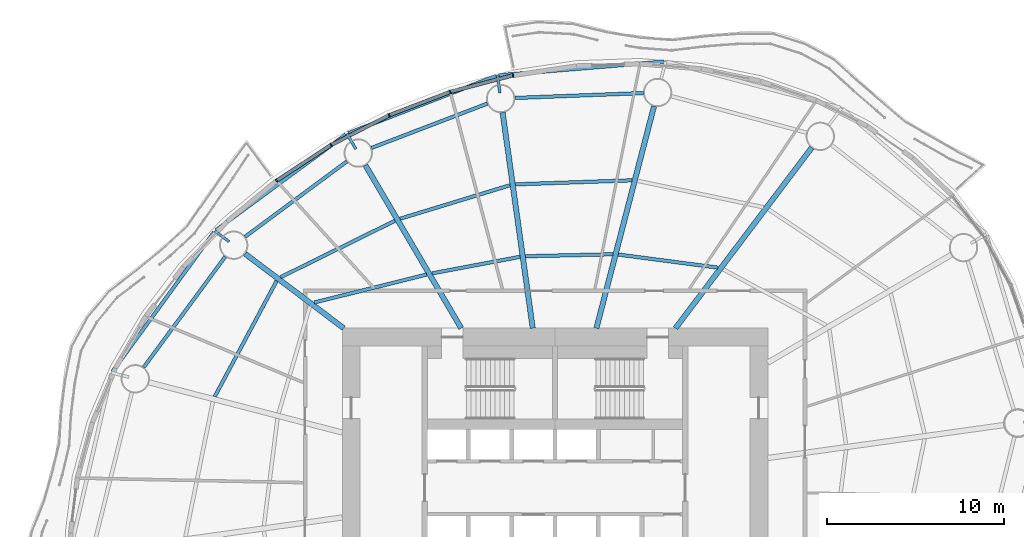
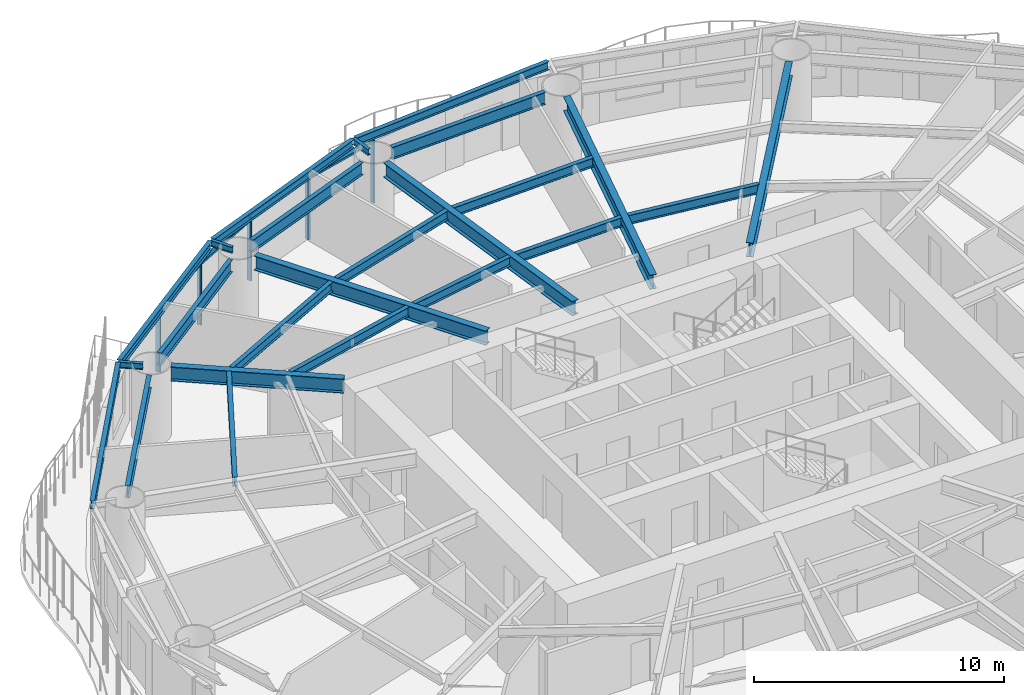
# One storey, part 4 of 15: 24 beams, 9 members, 4 elements without a shape of their own.
"""IFC4 building model written with IfcOpenShell, lengths in metres."""

from ifc_helpers import new_model, si_unit, direction, frame, origin, origin_2d, place, context, subcontext, project, spatial, rectangle, i_section, extrude, material, material_profile, profile_set, type_object, element, aggregate, save


model = new_model("IFC4")

# Units and contexts
model_context = context("Model", 3, precision=1e-05, world=origin(), true_north=direction((0.0, 1.0)))
body_context = subcontext(model_context, "Body", "Model", "MODEL_VIEW")
ifc_project = project(units=[si_unit("LENGTHUNIT", "METRE"), si_unit("AREAUNIT", "SQUARE_METRE"), si_unit("VOLUMEUNIT", "CUBIC_METRE"), si_unit("PLANEANGLEUNIT", "RADIAN"), si_unit("MASSUNIT", "GRAM", prefix="KILO")], contexts=[model_context])

# Site, building, storey
site_placement = place(None, origin())
site = spatial("IfcSite", under=ifc_project, at=site_placement, CompositionType="ELEMENT")
building_placement = place(site_placement, origin())
building = spatial("IfcBuilding", under=site, at=building_placement, Name="Vermilion Reach Broadcast Tower", CompositionType="ELEMENT")
storey_placement = place(building_placement, frame((0.0, 0.0, 128.199951171875)))
storey = spatial("IfcBuildingStorey", under=building, at=storey_placement, Name="L30", CompositionType="ELEMENT", Elevation=128.199951171875)

# Beams
ifc_material_1 = material(Name="Steel S355J2", Category="steel")
ifc_material_profile_1 = material_profile(ifc_material_1, i_section(OverallWidth=0.199951171875, OverallDepth=0.39990234375, WebThickness=0.008056640625, FlangeThickness=0.012939453125, at=origin_2d()), Name="S355J2 HN 400x200x8x13")
ifc_profile_set_1 = profile_set([ifc_material_profile_1], Name="Steel S355J2")
beam_type_1 = type_object("IfcBeamType", Name="EB2 HN 400x200x8x13", PredefinedType="BEAM", material=ifc_profile_set_1)
beam_1_placement = place(storey_placement, frame((0.161376953125, 24.036865234375, 3.25), z_axis=(-0.996606428797, -0.082314191242, 0.0), x_axis=(0.082314191242, -0.996606428797, 0.0)))
element("IfcBeam", 1, at=beam_1_placement, inside=storey, type_object=beam_type_1, Name="Edge beam EB2-03", PredefinedType="BEAM", context=body_context, shape_type="SweptSolid", body=[
    extrude(i_section(OverallWidth=0.199951171875, OverallDepth=0.39990234375, WebThickness=0.008056640625, FlangeThickness=0.012939453125, at=origin_2d()), origin(), (0.0, 0.0, 1.0), 9.366455078125),
])
beam_2_placement = place(storey_placement, frame((-9.320068359375, 23.23193359375, 3.25), z_axis=(-0.932314966936, -0.361647345389, 0.0), x_axis=(0.361647345389, -0.932314966936, 0.0)))
element("IfcBeam", 2, at=beam_2_placement, inside=storey, type_object=beam_type_1, Name="Edge beam EB2-04", PredefinedType="BEAM", context=body_context, shape_type="SweptSolid", body=[
    extrude(i_section(OverallWidth=0.199951171875, OverallDepth=0.39990234375, WebThickness=0.008056640625, FlangeThickness=0.012939453125, at=origin_2d()), origin(), (0.0, 0.0, 1.0), 8.952880859375),
])
beam_3_placement = place(storey_placement, frame((-17.798583984375, 19.921875, 3.25), z_axis=(-0.80536002253, -0.592785993518, 0.0), x_axis=(0.592785993518, -0.80536002253, 0.0)))
element("IfcBeam", 3, at=beam_3_placement, inside=storey, type_object=beam_type_1, Name="Edge beam EB2-05", PredefinedType="BEAM", context=body_context, shape_type="SweptSolid", body=[
    extrude(i_section(OverallWidth=0.199951171875, OverallDepth=0.39990234375, WebThickness=0.008056640625, FlangeThickness=0.012939453125, at=origin_2d()), origin(), (0.0, 0.0, 1.0), 9.094970703125),
])
beam_4_placement = place(storey_placement, frame((-25.23046875, 14.423583984375, 3.25), z_axis=(-0.589004991883, -0.808129395293, 0.0), x_axis=(0.808129395293, -0.589004991883, 0.0)))
element("IfcBeam", 4, at=beam_4_placement, inside=storey, type_object=beam_type_1, Name="Edge beam EB2-06", PredefinedType="BEAM", context=body_context, shape_type="SweptSolid", body=[
    extrude(i_section(OverallWidth=0.199951171875, OverallDepth=0.39990234375, WebThickness=0.008056640625, FlangeThickness=0.012939453125, at=origin_2d()), origin(), (0.0, 0.0, 1.0), 9.734375),
])
ifc_material_2 = material(Name="Steel S355J2", Category="steel")
ifc_material_profile_2 = material_profile(ifc_material_2, i_section(OverallWidth=0.300048828125, OverallDepth=0.699951171875, WebThickness=0.012939453125, FlangeThickness=0.02392578125, at=origin_2d()), Name="S355J2 HN 700x300x13x24")
ifc_profile_set_2 = profile_set([ifc_material_profile_2], Name="Steel S355J2")
beam_type_2 = type_object("IfcBeamType", Name="G2 HN 700x300x13x24", PredefinedType="BEAM", material=ifc_profile_set_2)
beam_5_placement = place(storey_placement, frame((0.794189453125, 9.0, 3.10009765625), z_axis=(0.602519842365, 0.798103902733, 0.0), x_axis=(-0.798103902733, 0.602519842365, 0.0)))
element("IfcBeam", 5, at=beam_5_placement, inside=storey, type_object=beam_type_2, Name="Girder G2-02", PredefinedType="BEAM", context=body_context, shape_type="SweptSolid", body=[
    extrude(i_section(OverallWidth=0.300048828125, OverallDepth=0.699951171875, WebThickness=0.012939453125, FlangeThickness=0.02392578125, at=origin_2d()), origin(), (0.0, 0.0, 1.0), 12.758544921875),
])
beam_6_placement = place(storey_placement, frame((-3.6640625, 9.0, 3.10009765625), z_axis=(0.25121695316, 0.967930804575, 0.0), x_axis=(-0.967930804575, 0.25121695316, 0.0)))
element("IfcBeam", 6, at=beam_6_placement, inside=storey, type_object=beam_type_2, Name="Girder G2-03", PredefinedType="BEAM", context=body_context, shape_type="SweptSolid", body=[
    extrude(i_section(OverallWidth=0.300048828125, OverallDepth=0.699951171875, WebThickness=0.012939453125, FlangeThickness=0.02392578125, at=origin_2d()), origin(), (0.0, 0.0, 1.0), 12.93505859375),
])
beam_7_placement = place(storey_placement, frame((-7.2568359375, 9.0, 3.10009765625), z_axis=(-0.138317561234, 0.990387930184, 0.0), x_axis=(-0.990387930184, -0.138317561234, 0.0)))
element("IfcBeam", 7, at=beam_7_placement, inside=storey, type_object=beam_type_2, Name="Girder G2-04", PredefinedType="BEAM", context=body_context, shape_type="SweptSolid", body=[
    extrude(i_section(OverallWidth=0.300048828125, OverallDepth=0.699951171875, WebThickness=0.012939453125, FlangeThickness=0.02392578125, at=origin_2d()), origin(), (0.0, 0.0, 1.0), 12.281494140625),
])
beam_8_placement = place(storey_placement, frame((-11.290771484375, 9.0, 3.10009765625), z_axis=(-0.506783943634, 0.862073102744, 0.0), x_axis=(-0.862073102744, -0.506783943634, 0.0)))
element("IfcBeam", 8, at=beam_8_placement, inside=storey, type_object=beam_type_2, Name="Girder G2-05", PredefinedType="BEAM", context=body_context, shape_type="SweptSolid", body=[
    extrude(i_section(OverallWidth=0.300048828125, OverallDepth=0.699951171875, WebThickness=0.012939453125, FlangeThickness=0.02392578125, at=origin_2d()), origin(), (0.0, 0.0, 1.0), 10.661865234375),
])
beam_9_placement = place(storey_placement, frame((-17.921630859375, 9.0, 3.10009765625), z_axis=(-0.798113534072, 0.602507084382, 0.0), x_axis=(-0.602507084382, -0.798113534072, 0.0)))
element("IfcBeam", 9, at=beam_9_placement, inside=storey, type_object=beam_type_2, Name="Girder G2-06", PredefinedType="BEAM", context=body_context, shape_type="SweptSolid", body=[
    extrude(i_section(OverallWidth=0.300048828125, OverallDepth=0.699951171875, WebThickness=0.012939453125, FlangeThickness=0.02392578125, at=origin_2d()), origin(), (0.0, 0.0, 1.0), 6.971923828125),
])
ifc_material_3 = material(Name="Steel S355J2", Category="steel")
ifc_material_profile_3 = material_profile(ifc_material_3, i_section(OverallWidth=0.14990234375, OverallDepth=0.300048828125, WebThickness=0.006591796875, FlangeThickness=0.009033203125, at=origin_2d()), Name="S355J2 HN 300x150x6.5x9")
ifc_profile_set_3 = profile_set([ifc_material_profile_3], Name="Steel S355J2")
beam_type_3 = type_object("IfcBeamType", Name="GS2 HN 300x150x6.5x9", PredefinedType="BEAM", material=ifc_profile_set_3)
for number, where, z_axis, x_axis, name in (
    (10, (-9.10986328125, 22.269287109375, 3.300048828125), (-0.138413206764, 0.990374567622, 0.0), (-0.990374567622, -0.138413206764, 0.0), "Cantilever stub GS2-04"),
    (11, (-17.23095703125, 19.1044921875, 3.300048828125), (-0.506828068037, 0.862047161964, 0.0), (-0.862047161964, -0.506828068037, 0.0), "Cantilever stub GS2-05"),
    (12, (-24.38818359375, 13.881591796875, 3.300048828125), (-0.798091683473, 0.602536027779, 0.0), (-0.602536027779, -0.798091683473, 0.0), "Cantilever stub GS2-06"),
):
    element("IfcBeam", number, at=place(storey_placement, frame(where, z_axis=z_axis, x_axis=x_axis)), inside=storey, type_object=beam_type_3, Name=name, PredefinedType="BEAM", context=body_context, shape_type="SweptSolid", body=[
        extrude(i_section(OverallWidth=0.14990234375, OverallDepth=0.300048828125, WebThickness=0.006591796875, FlangeThickness=0.009033203125, at=origin_2d()), origin(), (0.0, 0.0, 1.0), 1.0),
    ])
ifc_material_4 = material(Name="Steel S355J2", Category="steel")
ifc_material_profile_4 = material_profile(ifc_material_4, i_section(OverallWidth=0.199951171875, OverallDepth=0.60009765625, WebThickness=0.010986328125, FlangeThickness=0.01708984375, at=origin_2d()), Name="S355J2 HN 600x200x11x17")
ifc_profile_set_4 = profile_set([ifc_material_profile_4], Name="Steel S355J2")
beam_type_4 = type_object("IfcBeamType", Name="RB2 HN 600x200x11x17", PredefinedType="BEAM", material=ifc_profile_set_4)
beam_10_placement = place(storey_placement, frame((-1.012939453125, 22.263916015625, 3.150146484375), z_axis=(-0.999268558327, -0.038240663418, 0.0), x_axis=(0.038240663418, -0.999268558327, 0.0)))
element("IfcBeam", 13, at=beam_10_placement, inside=storey, type_object=beam_type_4, Name="Ring beam RB2-03", PredefinedType="BEAM", context=body_context, shape_type="SweptSolid", body=[
    extrude(i_section(OverallWidth=0.199951171875, OverallDepth=0.60009765625, WebThickness=0.010986328125, FlangeThickness=0.01708984375, at=origin_2d()), origin(), (0.0, 0.0, 1.0), 7.259033203125),
])
beam_11_placement = place(storey_placement, frame((-9.813232421875, 21.669677734375, 3.150146484375), z_axis=(-0.933939237212, -0.357431813353, 0.0), x_axis=(0.357431813353, -0.933939237212, 0.0)))
element("IfcBeam", 14, at=beam_11_placement, inside=storey, type_object=beam_type_4, Name="Ring beam RB2-04", PredefinedType="BEAM", context=body_context, shape_type="SweptSolid", body=[
    extrude(i_section(OverallWidth=0.199951171875, OverallDepth=0.60009765625, WebThickness=0.010986328125, FlangeThickness=0.01708984375, at=origin_2d()), origin(), (0.0, 0.0, 1.0), 7.001953125),
])
beam_12_placement = place(storey_placement, frame((-17.74267578125, 18.4052734375, 3.150146484375), z_axis=(-0.803832742218, -0.594855379515, 0.0), x_axis=(0.594855379515, -0.803832742218, 0.0)))
element("IfcBeam", 15, at=beam_12_placement, inside=storey, type_object=beam_type_4, Name="Ring beam RB2-05", PredefinedType="BEAM", context=body_context, shape_type="SweptSolid", body=[
    extrude(i_section(OverallWidth=0.199951171875, OverallDepth=0.60009765625, WebThickness=0.010986328125, FlangeThickness=0.01708984375, at=origin_2d()), origin(), (0.0, 0.0, 1.0), 7.13916015625),
])
beam_13_placement = place(storey_placement, frame((-24.59912109375, 13.03857421875, 3.150146484375), z_axis=(-0.593250534798, -0.80501788984, 0.0), x_axis=(0.80501788984, -0.593250534798, 0.0)))
element("IfcBeam", 16, at=beam_13_placement, inside=storey, type_object=beam_type_4, Name="Ring beam RB2-06", PredefinedType="BEAM", context=body_context, shape_type="SweptSolid", body=[
    extrude(i_section(OverallWidth=0.199951171875, OverallDepth=0.60009765625, WebThickness=0.010986328125, FlangeThickness=0.01708984375, at=origin_2d()), origin(), (0.0, 0.0, 1.0), 7.76220703125),
])
ifc_material_5 = material(Name="Steel S355J2", Category="steel")
ifc_material_profile_5 = material_profile(ifc_material_5, i_section(OverallWidth=0.199951171875, OverallDepth=0.449951171875, WebThickness=0.009033203125, FlangeThickness=0.013916015625, at=origin_2d()), Name="S355J2 HN 450x200x9x14")
ifc_profile_set_5 = profile_set([ifc_material_profile_5], Name="Steel S355J2")
beam_type_5 = type_object("IfcBeamType", Name="SB2 HN 450x200x9x14", PredefinedType="BEAM", material=ifc_profile_set_5)
beam_14_placement = place(storey_placement, frame((3.185546875, 12.416748046875, 3.22509765625), z_axis=(-0.991498686864, 0.130116693573, 0.0), x_axis=(-0.130116693573, -0.991498686864, 0.0)))
element("IfcBeam", 17, at=beam_14_placement, inside=storey, type_object=beam_type_5, Name="Secondary beam SB2-02-1", PredefinedType="BEAM", context=body_context, shape_type="SweptSolid", body=[
    extrude(i_section(OverallWidth=0.199951171875, OverallDepth=0.449951171875, WebThickness=0.009033203125, FlangeThickness=0.013916015625, at=origin_2d()), origin(), (0.0, 0.0, 1.0), 5.66455078125),
])
beam_15_placement = place(storey_placement, frame((-2.73681640625, 13.169921875, 3.22509765625), z_axis=(-0.999742320425, -0.022700060602, 0.0), x_axis=(0.022700060602, -0.999742320425, 0.0)))
element("IfcBeam", 18, at=beam_15_placement, inside=storey, type_object=beam_type_5, Name="Secondary beam SB2-03-1", PredefinedType="BEAM", context=body_context, shape_type="SweptSolid", body=[
    extrude(i_section(OverallWidth=0.199951171875, OverallDepth=0.449951171875, WebThickness=0.009033203125, FlangeThickness=0.013916015625, at=origin_2d()), origin(), (0.0, 0.0, 1.0), 4.9365234375),
])
beam_16_placement = place(storey_placement, frame((-1.654052734375, 17.34130859375, 3.22509765625), z_axis=(-0.999404722387, -0.03449928797, 0.0), x_axis=(0.03449928797, -0.999404722387, 0.0)))
element("IfcBeam", 19, at=beam_16_placement, inside=storey, type_object=beam_type_5, Name="Secondary beam SB2-03-2", PredefinedType="BEAM", context=body_context, shape_type="SweptSolid", body=[
    extrude(i_section(OverallWidth=0.199951171875, OverallDepth=0.449951171875, WebThickness=0.009033203125, FlangeThickness=0.013916015625, at=origin_2d()), origin(), (0.0, 0.0, 1.0), 6.58837890625),
])
beam_17_placement = place(storey_placement, frame((-7.970703125, 13.026611328125, 3.22509765625), z_axis=(-0.982782890015, -0.184764149915, 0.0), x_axis=(0.184764149915, -0.982782890015, 0.0)))
element("IfcBeam", 20, at=beam_17_placement, inside=storey, type_object=beam_type_5, Name="Secondary beam SB2-04-1", PredefinedType="BEAM", context=body_context, shape_type="SweptSolid", body=[
    extrude(i_section(OverallWidth=0.199951171875, OverallDepth=0.449951171875, WebThickness=0.009033203125, FlangeThickness=0.013916015625, at=origin_2d()), origin(), (0.0, 0.0, 1.0), 5.051513671875),
])
beam_18_placement = place(storey_placement, frame((-8.53466796875, 17.064697265625, 3.22509765625), z_axis=(-0.956596430605, -0.291415972374, 0.0), x_axis=(0.291415972374, -0.956596430605, 0.0)))
element("IfcBeam", 21, at=beam_18_placement, inside=storey, type_object=beam_type_5, Name="Secondary beam SB2-04-2", PredefinedType="BEAM", context=body_context, shape_type="SweptSolid", body=[
    extrude(i_section(OverallWidth=0.199951171875, OverallDepth=0.449951171875, WebThickness=0.009033203125, FlangeThickness=0.013916015625, at=origin_2d()), origin(), (0.0, 0.0, 1.0), 6.49267578125),
])
beam_19_placement = place(storey_placement, frame((-13.24365234375, 12.026123046875, 3.22509765625), z_axis=(-0.970396717612, -0.241516480695, 0.0), x_axis=(0.241516480695, -0.970396717612, 0.0)))
element("IfcBeam", 22, at=beam_19_placement, inside=storey, type_object=beam_type_5, Name="Secondary beam SB2-05-1", PredefinedType="BEAM", context=body_context, shape_type="SweptSolid", body=[
    extrude(i_section(OverallWidth=0.199951171875, OverallDepth=0.449951171875, WebThickness=0.009033203125, FlangeThickness=0.013916015625, at=origin_2d()), origin(), (0.0, 0.0, 1.0), 6.539306640625),
])
beam_20_placement = place(storey_placement, frame((-15.02783203125, 15.06103515625, 3.22509765625), z_axis=(-0.896648255868, -0.442743611189, 0.0), x_axis=(0.442743611189, -0.896648255868, 0.0)))
element("IfcBeam", 23, at=beam_20_placement, inside=storey, type_object=beam_type_5, Name="Secondary beam SB2-05-2", PredefinedType="BEAM", context=body_context, shape_type="SweptSolid", body=[
    extrude(i_section(OverallWidth=0.199951171875, OverallDepth=0.449951171875, WebThickness=0.009033203125, FlangeThickness=0.013916015625, at=origin_2d()), origin(), (0.0, 0.0, 1.0), 7.19677734375),
])
beam_21_placement = place(storey_placement, frame((-21.702880859375, 11.66650390625, 3.22509765625), z_axis=(-0.471821551693, -0.881694064491, 0.0), x_axis=(0.881694064491, -0.471821551693, 0.0)))
element("IfcBeam", 24, at=beam_21_placement, inside=storey, type_object=beam_type_5, Name="Secondary beam SB2-06-2", PredefinedType="BEAM", context=body_context, shape_type="SweptSolid", body=[
    extrude(i_section(OverallWidth=0.199951171875, OverallDepth=0.449951171875, WebThickness=0.009033203125, FlangeThickness=0.013916015625, at=origin_2d()), origin(), (0.0, 0.0, 1.0), 7.405029296875),
])

# Curtain wall, member
ifc_material_6 = material(Name="Low-e laminated clear glass in aluminium frame", Category="aluminium")
curtain_wall_type = type_object("IfcCurtainWallType", Name="Slot curtain wall", PredefinedType="NOTDEFINED", material=ifc_material_6)
placement = place(storey_placement, origin())
curtain_wall_1 = element("IfcCurtainWall", 25, at=placement, inside=storey, type_object=curtain_wall_type, Name="Slot curtain wall L30 10", PredefinedType="NOTDEFINED")
ifc_material_7 = material(Name="Anodised aluminium", Category="aluminium")
ifc_material_profile_6 = material_profile(ifc_material_7, rectangle(XDim=0.199951171875, YDim=0.080078125, at=origin_2d()), Name="Slot mullion 80 x 200")
ifc_profile_set_6 = profile_set([ifc_material_profile_6], Name="Anodised aluminium")
member_type_1 = type_object("IfcMemberType", Name="Slot mullion 80 x 200", PredefinedType="MULLION", material=ifc_profile_set_6)
member_1_placement = place(storey_placement, frame((-8.37060546875, 23.25830078125, 0.0), z_axis=(0.0, 0.0, 1.0), x_axis=(0.201060723294, -0.979578779654, 0.0)))
member_1 = element("IfcMember", 26, at=member_1_placement, type_object=member_type_1, Name="Slot mullion L30 10", PredefinedType="MULLION", context=body_context, shape_type="SweptSolid", body=[
    extrude(rectangle(XDim=0.199951171875, YDim=0.080078125, at=origin_2d()), origin(), (0.0, 0.0, 1.0), 3.050048828125),
])

curtain_wall_2 = element("IfcCurtainWall", 27, at=placement, inside=storey, type_object=curtain_wall_type, Name="Slot curtain wall L30 11", PredefinedType="NOTDEFINED")
member_2_placement = place(storey_placement, frame((-11.9130859375, 22.326171875, 0.0), z_axis=(0.0, 0.0, 1.0), x_axis=(0.306261378064, -0.951947460896, 0.0)))
member_2 = element("IfcMember", 28, at=member_2_placement, type_object=member_type_1, Name="Slot mullion L30 11", PredefinedType="MULLION", context=body_context, shape_type="SweptSolid", body=[
    extrude(rectangle(XDim=0.199951171875, YDim=0.080078125, at=origin_2d()), origin(), (0.0, 0.0, 1.0), 3.050048828125),
])

curtain_wall_3 = element("IfcCurtainWall", 29, at=placement, inside=storey, type_object=curtain_wall_type, Name="Slot curtain wall L30 12", PredefinedType="NOTDEFINED")
member_3_placement = place(storey_placement, frame((-15.3544921875, 21.01025390625, 0.0), z_axis=(0.0, 0.0, 1.0), x_axis=(0.406736714985, -0.913545425627, 0.0)))
member_3 = element("IfcMember", 30, at=member_3_placement, type_object=member_type_1, Name="Slot mullion L30 12", PredefinedType="MULLION", context=body_context, shape_type="SweptSolid", body=[
    extrude(rectangle(XDim=0.199951171875, YDim=0.080078125, at=origin_2d()), origin(), (0.0, 0.0, 1.0), 3.050048828125),
])

# Curtain wall, members
curtain_wall_4 = element("IfcCurtainWall", 31, at=placement, inside=storey, type_object=curtain_wall_type, Name="Slot curtain wall L30 13", PredefinedType="NOTDEFINED")
member_4_placement = place(storey_placement, frame((-18.635009765625, 19.33349609375, 0.0), z_axis=(0.0, 0.0, 1.0), x_axis=(0.502505984003, -0.86457373083, 0.0)))
member_4 = element("IfcMember", 32, at=member_4_placement, type_object=member_type_1, Name="Slot mullion L30 13", PredefinedType="MULLION", context=body_context, shape_type="SweptSolid", body=[
    extrude(rectangle(XDim=0.199951171875, YDim=0.080078125, at=origin_2d()), origin(), (0.0, 0.0, 1.0), 3.050048828125),
])
member_5_placement = place(storey_placement, frame((-21.6982421875, 17.324462890625, 0.0), z_axis=(0.0, 0.0, 1.0), x_axis=(0.593432863942, -0.804883492186, 0.0)))
member_5 = element("IfcMember", 33, at=member_5_placement, type_object=member_type_1, Name="Slot mullion L30 14", PredefinedType="MULLION", context=body_context, shape_type="SweptSolid", body=[
    extrude(rectangle(XDim=0.199951171875, YDim=0.080078125, at=origin_2d()), origin(), (0.0, 0.0, 1.0), 3.050048828125),
])

# Member
ifc_material_8 = material(Name="Anodised aluminium", Category="aluminium")
ifc_material_profile_7 = material_profile(ifc_material_8, rectangle(XDim=0.199951171875, YDim=0.10009765625, at=origin_2d()), Name="Slot transom 200 x 100")
ifc_profile_set_7 = profile_set([ifc_material_profile_7], Name="Anodised aluminium")
member_type_2 = type_object("IfcMemberType", Name="Slot transom 200 x 100", PredefinedType="USERDEFINED", material=ifc_profile_set_7)
member_6_placement = place(storey_placement, frame((-8.4091796875, 23.248291015625, 3.0), z_axis=(-0.967078949872, -0.254476530772, 0.0), x_axis=(0.254476530772, -0.967078949872, 0.0)))
member_6 = element("IfcMember", 34, at=member_6_placement, type_object=member_type_2, Name="Slot transom L30 10.1", ObjectType="TRANSOM", PredefinedType="USERDEFINED", context=body_context, shape_type="SweptSolid", body=[
    extrude(rectangle(XDim=0.199951171875, YDim=0.10009765625, at=origin_2d()), origin(), (0.0, 0.0, 1.0), 3.583251953125),
])

aggregate(curtain_wall_1, [member_1, member_6])

member_7_placement = place(storey_placement, frame((-11.950439453125, 22.31201171875, 3.0), z_axis=(-0.934043859967, -0.357158322959, 0.0), x_axis=(0.357158322959, -0.934043859967, 0.0)))
member_7 = element("IfcMember", 35, at=member_7_placement, type_object=member_type_2, Name="Slot transom L30 11.1", ObjectType="TRANSOM", PredefinedType="USERDEFINED", context=body_context, shape_type="SweptSolid", body=[
    extrude(rectangle(XDim=0.199951171875, YDim=0.10009765625, at=origin_2d()), origin(), (0.0, 0.0, 1.0), 3.6044921875),
])

aggregate(curtain_wall_2, [member_2, member_7])

member_8_placement = place(storey_placement, frame((-15.389892578125, 20.9921875, 3.0), z_axis=(-0.890409062375, -0.455161182045, 0.0), x_axis=(0.455161182045, -0.890409062375, 0.0)))
member_8 = element("IfcMember", 36, at=member_8_placement, type_object=member_type_2, Name="Slot transom L30 12.1", ObjectType="TRANSOM", PredefinedType="USERDEFINED", context=body_context, shape_type="SweptSolid", body=[
    extrude(rectangle(XDim=0.199951171875, YDim=0.10009765625, at=origin_2d()), origin(), (0.0, 0.0, 1.0), 3.6044921875),
])

aggregate(curtain_wall_3, [member_3, member_8])

member_9_placement = place(storey_placement, frame((-18.66845703125, 19.3115234375, 3.0), z_axis=(-0.836209024559, -0.548410856244, 0.0), x_axis=(0.548410856244, -0.836209024559, 0.0)))
member_9 = element("IfcMember", 37, at=member_9_placement, type_object=member_type_2, Name="Slot transom L30 13.1", ObjectType="TRANSOM", PredefinedType="USERDEFINED", context=body_context, shape_type="SweptSolid", body=[
    extrude(rectangle(XDim=0.199951171875, YDim=0.10009765625, at=origin_2d()), origin(), (0.0, 0.0, 1.0), 3.583251953125),
])

aggregate(curtain_wall_4, [member_4, member_5, member_9])

save(model, "model.ifc")
